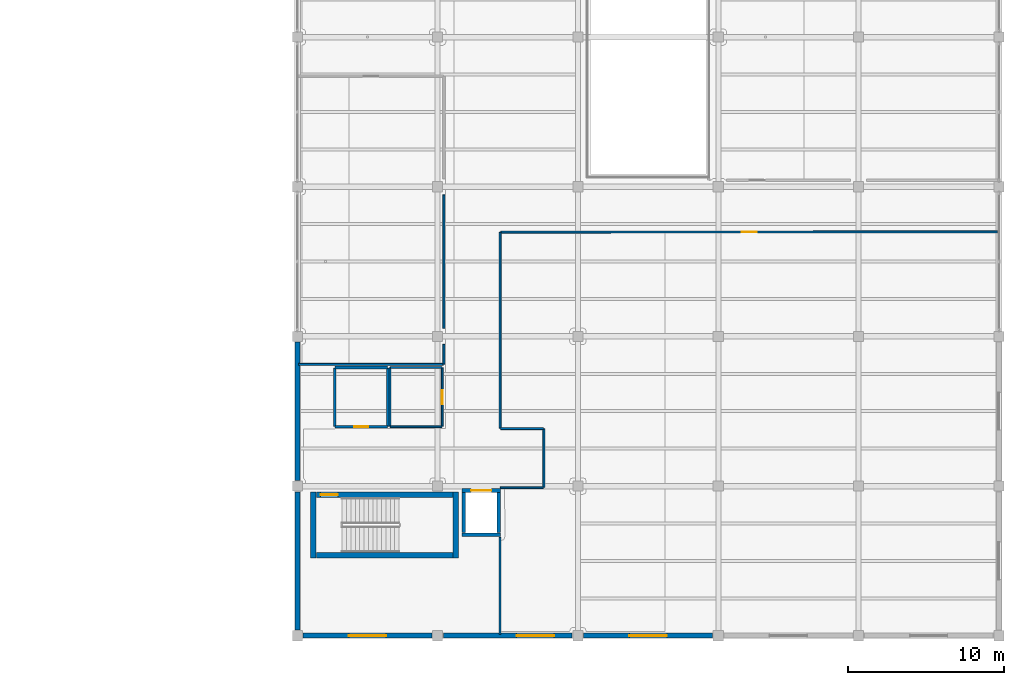
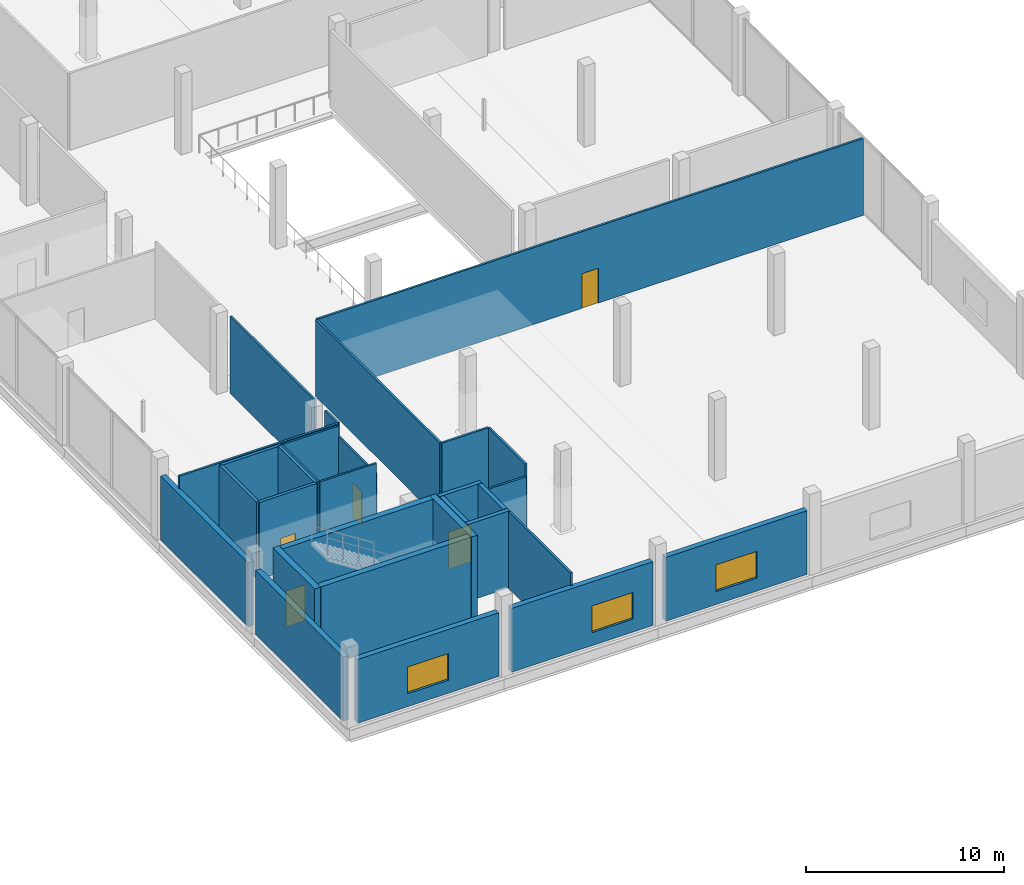
# One storey, part 30 of 46: 30 walls, 5 doors, 3 windows, 8 openings.
"""IFC4 building model written with IfcOpenShell, lengths in metres."""

from ifc_helpers import new_model, si_unit, direction, frame, frame_2d, origin, place, context, subcontext, project, spatial, rectangle, extrude, material, layer, layer_set, type_object, element, fill, save


model = new_model("IFC4")

# Units and contexts
model_context = context("Model", 3, precision=1e-05, world=origin(), true_north=direction((0.0, 1.0)))
body_context = subcontext(model_context, "Body", "Model", "MODEL_VIEW")
ifc_project = project(units=[si_unit("LENGTHUNIT", "METRE"), si_unit("AREAUNIT", "SQUARE_METRE"), si_unit("VOLUMEUNIT", "CUBIC_METRE"), si_unit("PLANEANGLEUNIT", "RADIAN"), si_unit("MASSUNIT", "GRAM", prefix="KILO")], contexts=[model_context])

# Site, building, storey
site_placement = place(None, origin())
site = spatial("IfcSite", under=ifc_project, at=site_placement, CompositionType="ELEMENT")
building_placement = place(site_placement, origin())
building = spatial("IfcBuilding", under=site, at=building_placement, Name="Qorvath Tower", CompositionType="ELEMENT")
storey_placement = place(building_placement, frame((0.0, 0.0, 17.0)))
storey = spatial("IfcBuildingStorey", under=building, at=storey_placement, Name="L03", CompositionType="ELEMENT", Elevation=17.0)

# Wall, opening, door
ifc_material_1 = material(Name="Gypsum shaftliner on steel studs", Category="steel")
ifc_layer_1 = layer(ifc_material_1, 0.179931640625)
ifc_layer_set_1 = layer_set([ifc_layer_1], Name="FW-LOBBY")
wall_type_1 = type_object("IfcWallType", Name="FW-LOBBY", PredefinedType="PARTITIONING", material=ifc_layer_set_1)
wall_1_placement = place(storey_placement, frame((34.824951171875, -25.0, 0.0), z_axis=(0.0, 0.0, 1.0), x_axis=(1.0, 0.0, 0.0)))
wall_1 = element("IfcWall", 1, at=wall_1_placement, inside=storey, type_object=wall_type_1, Name="Interior Partition IW-LB-L03-013", PredefinedType="PARTITIONING", context=body_context, shape_type="SweptSolid", body=[
    extrude(rectangle(XDim=3.35009765625, YDim=0.179931640625, at=frame_2d((1.675048828125, 0.0))), origin(), (0.0, 0.0, 1.0), 4.739990234375),
])
opening_1_placement = place(wall_1_placement, frame((1.235107421875, 0.0, 0.0)))
opening_1 = element("IfcOpeningElement", 2, at=opening_1_placement, cuts=wall_1, Name="Opening D-LB-L03-04", PredefinedType="OPENING", context=body_context, shape_type="SweptSolid", body=[
    extrude(rectangle(XDim=0.8798828125, YDim=2.10009765625, at=frame_2d((0.43994140625, 1.050048828125))), frame((0.0, 0.10009765625, 0.0), z_axis=(0.0, -1.0, 0.0), x_axis=(1.0, 0.0, 0.0)), (0.0, 0.0, 1.0), 0.199951171875),
])
ifc_material_2 = material(Name="Painted galvanised hollow metal", Category="steel")
door_type_1 = type_object("IfcDoorType", Name="FD-60N", OperationType="NOTDEFINED", PredefinedType="DOOR", material=ifc_material_2)
door_1_placement = place(opening_1_placement, origin())
door_1 = element("IfcDoor", 3, at=door_1_placement, inside=storey, type_object=door_type_1, Name="Cleaner Custodial Closet L03 Door D-LB-L03-04", OperationType="SINGLE_SWING_LEFT", OverallHeight=2.10009765625, OverallWidth=0.8798828125, PredefinedType="DOOR", context=body_context, shape_type="SweptSolid", body=[
    extrude(rectangle(XDim=0.8798828125, YDim=2.10009765625, at=frame_2d((0.43994140625, 1.050048828125))), frame((0.0, 0.02490234375, 0.0), z_axis=(0.0, -1.0, 0.0), x_axis=(1.0, 0.0, 0.0)), (0.0, 0.0, 1.0), 0.050048828125),
])
fill(opening_1, door_1)

# Walls
wall_2_placement = place(storey_placement, frame((38.199951171875, -24.97509765625, 0.0), z_axis=(0.0, 0.0, 1.0), x_axis=(0.0, 1.0, 0.0)))
element("IfcWall", 4, at=wall_2_placement, inside=storey, type_object=wall_type_1, Name="Interior Partition IW-LB-L03-014", PredefinedType="PARTITIONING", context=body_context, shape_type="SweptSolid", body=[
    extrude(rectangle(XDim=3.75, YDim=0.179931640625, at=frame_2d((1.875, 0.0))), origin(), (0.0, 0.0, 1.0), 4.739990234375),
])
wall_3_placement = place(storey_placement, frame((38.175048828125, -21.199951171875, 0.0), z_axis=(0.0, 0.0, 1.0), x_axis=(-1.0, 0.0, 0.0)))
element("IfcWall", 5, at=wall_3_placement, inside=storey, type_object=wall_type_1, Name="Interior Partition IW-LB-L03-015", PredefinedType="PARTITIONING", context=body_context, shape_type="SweptSolid", body=[
    extrude(rectangle(XDim=3.35009765625, YDim=0.179931640625, at=frame_2d((1.675048828125, 0.0))), origin(), (0.0, 0.0, 1.0), 4.739990234375),
])
wall_4_placement = place(storey_placement, frame((34.800048828125, -21.22509765625, 0.0), z_axis=(0.0, 0.0, 1.0), x_axis=(0.0, -1.0, 0.0)))
element("IfcWall", 6, at=wall_4_placement, inside=storey, type_object=wall_type_1, Name="Interior Partition IW-LB-L03-016", PredefinedType="PARTITIONING", context=body_context, shape_type="SweptSolid", body=[
    extrude(rectangle(XDim=3.75, YDim=0.179931640625, at=frame_2d((1.875, 0.0))), origin(), (0.0, 0.0, 1.0), 4.739990234375),
])

# Wall, opening, door
ifc_material_3 = material(Name="Gypsum board on metal studs with mineral wool", Category="gypsum")
ifc_layer_2 = layer(ifc_material_3, 0.125)
ifc_layer_set_2 = layer_set([ifc_layer_2], Name="IW-PART-125")
wall_type_2 = type_object("IfcWallType", Name="IW-PART-125", PredefinedType="PARTITIONING", material=ifc_layer_set_2)
wall_5_placement = place(storey_placement, frame((77.320068359375, -12.5, 0.0), z_axis=(0.0, 0.0, 1.0), x_axis=(-0.999999968081, -0.000252662519, 0.0)))
wall_5 = element("IfcWall", 7, at=wall_5_placement, inside=storey, type_object=wall_type_2, Name="Interior Partition IW-LB-L03-023", PredefinedType="PARTITIONING", context=body_context, shape_type="SweptSolid", body=[
    extrude(rectangle(XDim=31.886962890625, YDim=0.125, at=frame_2d((15.943359375, 0.0))), origin(), (0.0, 0.0, 1.0), 4.739990234375),
])
opening_2_placement = place(wall_5_placement, frame((15.468505859375, 0.0, 0.0)))
opening_2 = element("IfcOpeningElement", 8, at=opening_2_placement, cuts=wall_5, Name="Opening D-LB-L03-06", PredefinedType="OPENING", context=body_context, shape_type="SweptSolid", body=[
    extrude(rectangle(XDim=0.949951171875, YDim=2.14990234375, at=frame_2d((0.47509765625, 1.074951171875))), frame((0.0, 0.072509765625, 0.0), z_axis=(0.0, -1.0, 0.0), x_axis=(1.0, 0.0, 0.0)), (0.0, 0.0, 1.0), 0.14501953125),
])
ifc_material_4 = material(Name="Solid-core American white oak veneer", Category="wood")
door_type_2 = type_object("IfcDoorType", Name="D-01", OperationType="NOTDEFINED", PredefinedType="DOOR", material=ifc_material_4)
door_2_placement = place(opening_2_placement, origin())
door_2 = element("IfcDoor", 9, at=door_2_placement, inside=storey, type_object=door_type_2, Name="L-L03-STK-S Open Book Stack Collection South L03 Door D-LB-L03-06", OperationType="SINGLE_SWING_LEFT", OverallHeight=2.14990234375, OverallWidth=0.949951171875, PredefinedType="DOOR", context=body_context, shape_type="SweptSolid", body=[
    extrude(rectangle(XDim=0.949951171875, YDim=2.14990234375, at=frame_2d((0.47509765625, 1.074951171875))), frame((0.0, 0.02490234375, 0.0), z_axis=(0.0, -1.0, 0.0), x_axis=(1.0, 0.0, 0.0)), (0.0, 0.0, 1.0), 0.050048828125),
])
fill(opening_2, door_2)

# Walls
wall_6_placement = place(storey_placement, frame((45.407958984375, -12.533203125, 0.0), z_axis=(0.0, 0.0, 1.0), x_axis=(0.0, -1.0, 0.0)))
element("IfcWall", 10, at=wall_6_placement, inside=storey, type_object=wall_type_2, Name="Interior Partition IW-LB-L03-024", PredefinedType="PARTITIONING", context=body_context, shape_type="SweptSolid", body=[
    extrude(rectangle(XDim=12.553955078125, YDim=0.125, at=frame_2d((6.27685546875, 0.0))), origin(), (0.0, 0.0, 1.0), 4.739990234375),
])
wall_7_placement = place(storey_placement, frame((48.18310546875, -25.112060546875, 0.0), z_axis=(0.0, 0.0, 1.0), x_axis=(-1.0, 0.0, 0.0)))
element("IfcWall", 11, at=wall_7_placement, inside=storey, type_object=wall_type_2, Name="Interior Partition IW-LB-L03-025", PredefinedType="PARTITIONING", context=body_context, shape_type="SweptSolid", body=[
    extrude(rectangle(XDim=2.75, YDim=0.125, at=frame_2d((1.375, 0.0))), origin(), (0.0, 0.0, 1.0), 4.739990234375),
])
wall_8_placement = place(storey_placement, frame((48.2080078125, -25.13720703125, 0.0), z_axis=(0.0, 0.0, 1.0), x_axis=(0.0, -1.0, 0.0)))
element("IfcWall", 12, at=wall_8_placement, inside=storey, type_object=wall_type_2, Name="Interior Partition IW-LB-L03-026", PredefinedType="PARTITIONING", context=body_context, shape_type="SweptSolid", body=[
    extrude(rectangle(XDim=3.745849609375, YDim=0.125, at=frame_2d((1.873046875, 0.0))), origin(), (0.0, 0.0, 1.0), 4.739990234375),
])
wall_9_placement = place(storey_placement, frame((45.4248046875, -28.907958984375, 0.0), z_axis=(0.0, 0.0, 1.0), x_axis=(1.0, 0.0, 0.0)))
element("IfcWall", 13, at=wall_9_placement, inside=storey, type_object=wall_type_2, Name="Interior Partition IW-LB-L03-027", PredefinedType="PARTITIONING", context=body_context, shape_type="SweptSolid", body=[
    extrude(rectangle(XDim=2.75830078125, YDim=0.125, at=frame_2d((1.379150390625, 0.0))), origin(), (0.0, 0.0, 1.0), 4.01416015625),
])
wall_10_placement = place(storey_placement, frame((45.39990234375, -32.0849609375, 0.0), z_axis=(0.0, 0.0, 1.0), x_axis=(0.0, -1.0, 0.0)))
element("IfcWall", 14, at=wall_10_placement, inside=storey, type_object=wall_type_2, Name="Interior Partition IW-LB-L03-028", PredefinedType="PARTITIONING", context=body_context, shape_type="SweptSolid", body=[
    extrude(rectangle(XDim=6.235107421875, YDim=0.125, at=frame_2d((3.11767578125, 0.0))), origin(), (0.0, 0.0, 1.0), 4.739990234375),
])
wall_11_placement = place(storey_placement, frame((32.47998046875, -21.0, 0.0), z_axis=(0.0, 0.0, 1.0), x_axis=(1.0, 0.0, 0.0)))
element("IfcWall", 15, at=wall_11_placement, inside=storey, type_object=wall_type_2, Name="Interior Partition IW-LB-L03-039", PredefinedType="PARTITIONING", context=body_context, shape_type="SweptSolid", body=[
    extrude(rectangle(XDim=9.294921875, YDim=0.125, at=frame_2d((4.6474609375, 0.0))), origin(), (0.0, 0.0, 1.0), 4.739990234375),
])
wall_12_placement = place(storey_placement, frame((41.800048828125, -20.97509765625, 0.0), z_axis=(0.0, 0.0, 1.0), x_axis=(0.0, 1.0, 0.0)))
element("IfcWall", 16, at=wall_12_placement, inside=storey, type_object=wall_type_2, Name="Interior Partition IW-LB-L03-040", PredefinedType="PARTITIONING", context=body_context, shape_type="SweptSolid", body=[
    extrude(rectangle(XDim=1.25634765625, YDim=0.125, at=frame_2d((0.628173828125, 0.0))), origin(), (0.0, 0.0, 1.0), 4.739990234375),
])
wall_13_placement = place(storey_placement, frame((41.800048828125, -18.68115234375, 0.0), z_axis=(0.0, 0.0, 1.0), x_axis=(0.0, 1.0, 0.0)))
element("IfcWall", 17, at=wall_13_placement, inside=storey, type_object=wall_type_2, Name="Interior Partition IW-LB-L03-041", PredefinedType="PARTITIONING", context=body_context, shape_type="SweptSolid", body=[
    extrude(rectangle(XDim=8.562255859375, YDim=0.125, at=frame_2d((4.28125, 0.0))), origin(), (0.0, 0.0, 1.0), 4.739990234375),
])
ifc_material_5 = material(Name="Moisture-resistant cement board on metal studs", Category="gypsum")
ifc_layer_3 = layer(ifc_material_5, 0.110107421875)
ifc_layer_set_3 = layer_set([ifc_layer_3], Name="IW-WC-110")
wall_type_3 = type_object("IfcWallType", Name="IW-WC-110", PredefinedType="PARTITIONING", material=ifc_layer_set_3)
wall_14_placement = place(storey_placement, frame((38.375, -25.0, 0.0), z_axis=(0.0, 0.0, 1.0), x_axis=(1.0, 0.0, 0.0)))
element("IfcWall", 18, at=wall_14_placement, inside=storey, type_object=wall_type_3, Name="Interior Partition IW-LB-L03-009", PredefinedType="PARTITIONING", context=body_context, shape_type="SweptSolid", body=[
    extrude(rectangle(XDim=3.300048828125, YDim=0.110107421875, at=frame_2d((1.64990234375, 0.0))), origin(), (0.0, 0.0, 1.0), 4.739990234375),
])

# Wall, opening, door
wall_15_placement = place(storey_placement, frame((41.699951171875, -24.97509765625, 0.0), z_axis=(0.0, 0.0, 1.0), x_axis=(0.0, 1.0, 0.0)))
wall_15 = element("IfcWall", 19, at=wall_15_placement, inside=storey, type_object=wall_type_3, Name="Interior Partition IW-LB-L03-010", PredefinedType="PARTITIONING", context=body_context, shape_type="SweptSolid", body=[
    extrude(rectangle(XDim=3.75, YDim=0.110107421875, at=frame_2d((1.875, 0.0))), origin(), (0.0, 0.0, 1.0), 4.09375),
])
opening_3_placement = place(wall_15_placement, frame((1.43505859375, 0.0, 0.0)))
opening_3 = element("IfcOpeningElement", 20, at=opening_3_placement, cuts=wall_15, Name="Opening D-LB-L03-03", PredefinedType="OPENING", context=body_context, shape_type="SweptSolid", body=[
    extrude(rectangle(XDim=0.8798828125, YDim=2.10009765625, at=frame_2d((0.43994140625, 1.050048828125))), frame((0.0, 0.06494140625, 0.0), z_axis=(0.0, -1.0, 0.0), x_axis=(1.0, 0.0, 0.0)), (0.0, 0.0, 1.0), 0.130126953125),
])
ifc_material_6 = material(Name="Solid-core oak with acoustic drop seal", Category="wood")
door_type_3 = type_object("IfcDoorType", Name="D-02", OperationType="NOTDEFINED", PredefinedType="DOOR", material=ifc_material_6)
door_3_placement = place(opening_3_placement, origin())
door_3 = element("IfcDoor", 21, at=door_3_placement, inside=storey, type_object=door_type_3, Name="Accessible WC East Wing L03 Door D-LB-L03-03", OperationType="SINGLE_SWING_RIGHT", OverallHeight=2.10009765625, OverallWidth=0.8798828125, PredefinedType="DOOR", context=body_context, shape_type="SweptSolid", body=[
    extrude(rectangle(XDim=0.8798828125, YDim=2.10009765625, at=frame_2d((0.43994140625, 1.050048828125))), frame((0.0, 0.02490234375, 0.0), z_axis=(0.0, -1.0, 0.0), x_axis=(1.0, 0.0, 0.0)), (0.0, 0.0, 1.0), 0.050048828125),
])
fill(opening_3, door_3)

# Walls
wall_16_placement = place(storey_placement, frame((41.675048828125, -21.199951171875, 0.0), z_axis=(0.0, 0.0, 1.0), x_axis=(-1.0, 0.0, 0.0)))
element("IfcWall", 22, at=wall_16_placement, inside=storey, type_object=wall_type_3, Name="Interior Partition IW-LB-L03-011", PredefinedType="PARTITIONING", context=body_context, shape_type="SweptSolid", body=[
    extrude(rectangle(XDim=3.300048828125, YDim=0.110107421875, at=frame_2d((1.64990234375, 0.0))), origin(), (0.0, 0.0, 1.0), 4.739990234375),
])
wall_17_placement = place(storey_placement, frame((38.35009765625, -21.22509765625, 0.0), z_axis=(0.0, 0.0, 1.0), x_axis=(0.0, -1.0, 0.0)))
element("IfcWall", 23, at=wall_17_placement, inside=storey, type_object=wall_type_3, Name="Interior Partition IW-LB-L03-012", PredefinedType="PARTITIONING", context=body_context, shape_type="SweptSolid", body=[
    extrude(rectangle(XDim=3.75, YDim=0.110107421875, at=frame_2d((1.875, 0.0))), origin(), (0.0, 0.0, 1.0), 4.739990234375),
])
ifc_material_7 = material(Name="Concrete C60/75", Category="concrete")
ifc_layer_4 = layer(ifc_material_7, 0.260009765625)
ifc_layer_set_4 = layer_set([ifc_layer_4], Name="SW-SHAFT")
wall_type_4 = type_object("IfcWallType", Name="SW-SHAFT", PredefinedType="SHEAR", material=ifc_layer_set_4)
wall_18_placement = place(storey_placement, frame((45.43994140625, -31.919921875, 0.0), z_axis=(0.0, 0.0, 1.0), x_axis=(-1.0, 0.0, 0.0)))
element("IfcWall", 24, at=wall_18_placement, inside=storey, type_object=wall_type_4, Name="Hoistway Wall LGL-1 L03 S", PredefinedType="SHEAR", context=body_context, shape_type="SweptSolid", body=[
    extrude(rectangle(XDim=2.47998046875, YDim=0.239990234375, at=frame_2d((1.239990234375, 0.0))), origin(), (0.0, 0.0, 1.0), 4.739990234375),
])

# Wall, opening, door
wall_19_placement = place(storey_placement, frame((42.9599609375, -29.080078125, 0.0), z_axis=(0.0, 0.0, 1.0), x_axis=(1.0, 0.0, 0.0)))
wall_19 = element("IfcWall", 25, at=wall_19_placement, inside=storey, type_object=wall_type_4, Name="Hoistway Wall LGL-1 L03 N", PredefinedType="SHEAR", context=body_context, shape_type="SweptSolid", body=[
    extrude(rectangle(XDim=2.47998046875, YDim=0.239990234375, at=frame_2d((1.239990234375, 0.0))), origin(), (0.0, 0.0, 1.0), 4.739990234375),
])
opening_4_placement = place(wall_19_placement, frame((0.590087890625, 0.0, 0.0)))
opening_4 = element("IfcOpeningElement", 26, at=opening_4_placement, cuts=wall_19, Name="Opening LD-LGL-1-L03", PredefinedType="OPENING", context=body_context, shape_type="SweptSolid", body=[
    extrude(rectangle(XDim=1.300048828125, YDim=2.300048828125, at=frame_2d((0.64990234375, 1.14990234375))), frame((0.0, 0.1298828125, 0.0), z_axis=(0.0, -1.0, 0.0), x_axis=(1.0, 0.0, 0.0)), (0.0, 0.0, 1.0), 0.260009765625),
])
ifc_material_8 = material(Name="Brushed stainless steel AISI 316", Category="steel")
door_type_4 = type_object("IfcDoorType", Name="LD-02", OperationType="NOTDEFINED", PredefinedType="DOOR", material=ifc_material_8)
door_4_placement = place(opening_4_placement, origin())
door_4 = element("IfcDoor", 27, at=door_4_placement, inside=storey, type_object=door_type_4, Name="Elevator Landing Sliding Door LD-LGL-1-L03", OperationType="DOUBLE_DOOR_SLIDING", OverallHeight=2.300048828125, OverallWidth=1.300048828125, PredefinedType="DOOR", context=body_context, shape_type="SweptSolid", body=[
    extrude(rectangle(XDim=1.300048828125, YDim=2.300048828125, at=frame_2d((0.64990234375, 1.14990234375))), frame((0.0, 0.02490234375, 0.0), z_axis=(0.0, -1.0, 0.0), x_axis=(1.0, 0.0, 0.0)), (0.0, 0.0, 1.0), 0.050048828125),
])
fill(opening_4, door_4)

# Walls
for number, where, z_axis, x_axis, name in (
    (28, (43.080078125, -31.7880859375, 0.0), (0.0, 0.0, 1.0), (0.0, 1.0, 0.0), "Hoistway Wall LGL-1 L03 W"),
    (29, (45.320068359375, -29.2119140625, 0.0), (0.0, 0.0, 1.0), (0.0, -1.0, 0.0), "Hoistway Wall LGL-1 L03 E"),
):
    element("IfcWall", number, at=place(storey_placement, frame(where, z_axis=z_axis, x_axis=x_axis)), inside=storey, type_object=wall_type_4, Name=name, PredefinedType="SHEAR", context=body_context, shape_type="SweptSolid", body=[
        extrude(rectangle(XDim=2.576171875, YDim=0.239990234375, at=frame_2d((1.2880859375, 0.0))), origin(), (0.0, 0.0, 1.0), 4.739990234375),
    ])
ifc_material_9 = material(Name="Concrete C60/75", Category="concrete")
ifc_layer_5 = layer(ifc_material_9, 0.35009765625)
ifc_layer_set_5 = layer_set([ifc_layer_5], Name="SW-STAIR")
wall_type_5 = type_object("IfcWallType", Name="SW-STAIR", PredefinedType="SHEAR", material=ifc_layer_set_5)
for number, where, z_axis, x_axis, name in (
    (30, (33.425048828125, -29.18994140625, 0.0), (0.0, 0.0, 1.0), (0.0, -1.0, 0.0), "Stair LS2 Shear Wall L03 NEAR"),
    (31, (42.574951171875, -33.39990234375, 0.0), (0.0, 0.0, 1.0), (0.0, 1.0, 0.0), "Stair LS2 Shear Wall L03 FAR"),
):
    element("IfcWall", number, at=place(storey_placement, frame(where, z_axis=z_axis, x_axis=x_axis)), inside=storey, type_object=wall_type_5, Name=name, PredefinedType="SHEAR", context=body_context, shape_type="SweptSolid", body=[
        extrude(rectangle(XDim=4.2099609375, YDim=0.35009765625, at=frame_2d((2.10498046875, 0.0))), origin(), (0.0, 0.0, 1.0), 4.9951171875),
    ])
wall_20_placement = place(storey_placement, frame((33.614990234375, -33.22509765625, 0.0), z_axis=(0.0, 0.0, 1.0), x_axis=(1.0, 0.0, 0.0)))
element("IfcWall", 32, at=wall_20_placement, inside=storey, type_object=wall_type_5, Name="Stair LS2 Shear Wall L03 LEFT", PredefinedType="SHEAR", context=body_context, shape_type="SweptSolid", body=[
    extrude(rectangle(XDim=8.77001953125, YDim=0.35009765625, at=frame_2d((4.385009765625, 0.0))), origin(), (0.0, 0.0, 1.0), 4.9951171875),
])

# Wall, opening, door
wall_21_placement = place(storey_placement, frame((42.385009765625, -29.364990234375, 0.0), z_axis=(0.0, 0.0, 1.0), x_axis=(-1.0, 0.0, 0.0)))
wall_21 = element("IfcWall", 33, at=wall_21_placement, inside=storey, type_object=wall_type_5, Name="Stair LS2 Shear Wall L03 RIGHT", PredefinedType="SHEAR", context=body_context, shape_type="SweptSolid", body=[
    extrude(rectangle(XDim=8.77001953125, YDim=0.35009765625, at=frame_2d((4.385009765625, 0.0))), origin(), (0.0, 0.0, 1.0), 4.9951171875),
])
opening_5_placement = place(wall_21_placement, frame((7.389892578125, 0.0, 0.0)))
opening_5 = element("IfcOpeningElement", 34, at=opening_5_placement, cuts=wall_21, Name="Opening D-LS2-L03", PredefinedType="OPENING", context=body_context, shape_type="SweptSolid", body=[
    extrude(rectangle(XDim=1.10009765625, YDim=2.199951171875, at=frame_2d((0.550048828125, 1.10009765625))), frame((0.0, 0.18505859375, 0.0), z_axis=(0.0, -1.0, 0.0), x_axis=(1.0, 0.0, 0.0)), (0.0, 0.0, 1.0), 0.3701171875),
])
ifc_material_10 = material(Name="Painted galvanised hollow metal", Category="steel")
door_type_5 = type_object("IfcDoorType", Name="FD-90", OperationType="NOTDEFINED", PredefinedType="DOOR", material=ifc_material_10)
door_5_placement = place(opening_5_placement, origin())
door_5 = element("IfcDoor", 35, at=door_5_placement, inside=storey, type_object=door_type_5, Name="Stair LS2 Fire Door L03", OperationType="SINGLE_SWING_RIGHT", OverallHeight=2.199951171875, OverallWidth=1.10009765625, PredefinedType="DOOR", context=body_context, shape_type="SweptSolid", body=[
    extrude(rectangle(XDim=1.10009765625, YDim=2.199951171875, at=frame_2d((0.550048828125, 1.10009765625))), frame((0.0, 0.02490234375, 0.0), z_axis=(0.0, -1.0, 0.0), x_axis=(1.0, 0.0, 0.0)), (0.0, 0.0, 1.0), 0.050048828125),
])
fill(opening_5, door_5)

# Walls
ifc_material_11 = material(Name="Precast concrete C45/55", Category="concrete")
ifc_layer_6 = layer(ifc_material_11, 0.320068359375)
ifc_layer_set_6 = layer_set([ifc_layer_6], Name="WL-EW-LIB-320")
wall_type_6 = type_object("IfcWallType", Name="WL-EW-LIB-320", PredefinedType="SOLIDWALL", material=ifc_layer_set_6)
wall_22_placement = place(storey_placement, frame((32.39990234375, -38.030029296875, 0.0), z_axis=(0.0, 0.0, 1.0), x_axis=(0.0, 1.0, 0.0)))
element("IfcWall", 36, at=wall_22_placement, inside=storey, type_object=wall_type_6, Name="Library West Precast Facade Wall L03-1", PredefinedType="SOLIDWALL", context=body_context, shape_type="SweptSolid", body=[
    extrude(rectangle(XDim=8.860107421875, YDim=0.320068359375, at=frame_2d((4.43017578125, 0.0))), origin(), (0.0, 0.0, 1.0), 3.93701171875),
])
wall_23_placement = place(storey_placement, frame((32.39990234375, -28.429931640625, 0.0), z_axis=(0.0, 0.0, 1.0), x_axis=(0.0, 1.0, 0.0)))
element("IfcWall", 37, at=wall_23_placement, inside=storey, type_object=wall_type_6, Name="Library West Precast Facade Wall L03-2", PredefinedType="SOLIDWALL", context=body_context, shape_type="SweptSolid", body=[
    extrude(rectangle(XDim=8.85986328125, YDim=0.320068359375, at=frame_2d((4.429931640625, 0.0))), origin(), (0.0, 0.0, 1.0), 3.93701171875),
])

# Wall, opening, window
wall_24_placement = place(storey_placement, frame((41.030029296875, -38.39990234375, 0.0), z_axis=(0.0, 0.0, 1.0), x_axis=(-1.0, 0.0, 0.0)))
wall_24 = element("IfcWall", 38, at=wall_24_placement, inside=storey, type_object=wall_type_6, Name="Library S Precast Wall L03-1", PredefinedType="SOLIDWALL", context=body_context, shape_type="SweptSolid", body=[
    extrude(rectangle(XDim=8.260009765625, YDim=0.320068359375, at=frame_2d((4.1298828125, 0.0))), origin(), (0.0, 0.0, 1.0), 3.93701171875),
])
opening_6_placement = place(wall_24_placement, frame((2.929931640625, 0.0, 0.800048828125)))
opening_6 = element("IfcOpeningElement", 39, at=opening_6_placement, cuts=wall_24, Name="Opening WN-L-120", PredefinedType="OPENING", context=body_context, shape_type="SweptSolid", body=[
    extrude(rectangle(XDim=2.39990234375, YDim=1.64990234375, at=frame_2d((1.199951171875, 0.824951171875))), frame((0.0, 0.169921875, 0.0), z_axis=(0.0, -1.0, 0.0), x_axis=(1.0, 0.0, 0.0)), (0.0, 0.0, 1.0), 0.340087890625),
])
ifc_material_12 = material(Name="Thermally broken aluminium and triple low-E glass", Category="aluminium")
window_type = type_object("IfcWindowType", Name="WN-2", PartitioningType="SINGLE_PANEL", PredefinedType="WINDOW", material=ifc_material_12)
window_1_placement = place(opening_6_placement, origin())
window_1 = element("IfcWindow", 40, at=window_1_placement, inside=storey, type_object=window_type, Name="Library Reading Punched Window 120", OverallHeight=1.64990234375, OverallWidth=2.39990234375, PartitioningType="SINGLE_PANEL", PredefinedType="WINDOW", context=body_context, shape_type="SweptSolid", body=[
    extrude(rectangle(XDim=2.39990234375, YDim=1.64990234375, at=frame_2d((1.199951171875, 0.824951171875))), frame((0.0, 0.030029296875, 0.0), z_axis=(0.0, -1.0, 0.0), x_axis=(1.0, 0.0, 0.0)), (0.0, 0.0, 1.0), 0.06005859375),
])
fill(opening_6, window_1)

wall_25_placement = place(storey_placement, frame((50.030029296875, -38.39990234375, 0.0), z_axis=(0.0, 0.0, 1.0), x_axis=(-1.0, 0.0, 0.0)))
wall_25 = element("IfcWall", 41, at=wall_25_placement, inside=storey, type_object=wall_type_6, Name="Library S Precast Wall L03-2", PredefinedType="SOLIDWALL", context=body_context, shape_type="SweptSolid", body=[
    extrude(rectangle(XDim=8.260009765625, YDim=0.320068359375, at=frame_2d((4.1298828125, 0.0))), origin(), (0.0, 0.0, 1.0), 3.93701171875),
])
opening_7_placement = place(wall_25_placement, frame((1.159912109375, 0.0, 0.800048828125)))
opening_7 = element("IfcOpeningElement", 42, at=opening_7_placement, cuts=wall_25, Name="Opening WN-L-121", PredefinedType="OPENING", context=body_context, shape_type="SweptSolid", body=[
    extrude(rectangle(XDim=2.39990234375, YDim=1.64990234375, at=frame_2d((1.199951171875, 0.824951171875))), frame((0.0, 0.169921875, 0.0), z_axis=(0.0, -1.0, 0.0), x_axis=(1.0, 0.0, 0.0)), (0.0, 0.0, 1.0), 0.340087890625),
])
window_2_placement = place(opening_7_placement, origin())
window_2 = element("IfcWindow", 43, at=window_2_placement, inside=storey, type_object=window_type, Name="Library Reading Punched Window 121", OverallHeight=1.64990234375, OverallWidth=2.39990234375, PartitioningType="SINGLE_PANEL", PredefinedType="WINDOW", context=body_context, shape_type="SweptSolid", body=[
    extrude(rectangle(XDim=2.39990234375, YDim=1.64990234375, at=frame_2d((1.199951171875, 0.824951171875))), frame((0.0, 0.030029296875, 0.0), z_axis=(0.0, -1.0, 0.0), x_axis=(1.0, 0.0, 0.0)), (0.0, 0.0, 1.0), 0.06005859375),
])
fill(opening_7, window_2)

wall_26_placement = place(storey_placement, frame((59.030029296875, -38.39990234375, 0.0), z_axis=(0.0, 0.0, 1.0), x_axis=(-1.0, 0.0, 0.0)))
wall_26 = element("IfcWall", 44, at=wall_26_placement, inside=storey, type_object=wall_type_6, Name="Library S Precast Wall L03-3", PredefinedType="SOLIDWALL", context=body_context, shape_type="SweptSolid", body=[
    extrude(rectangle(XDim=8.260009765625, YDim=0.320068359375, at=frame_2d((4.1298828125, 0.0))), origin(), (0.0, 0.0, 1.0), 3.93701171875),
])
opening_8_placement = place(wall_26_placement, frame((2.929931640625, 0.0, 0.800048828125)))
opening_8 = element("IfcOpeningElement", 45, at=opening_8_placement, cuts=wall_26, Name="Opening WN-L-122", PredefinedType="OPENING", context=body_context, shape_type="SweptSolid", body=[
    extrude(rectangle(XDim=2.39990234375, YDim=1.64990234375, at=frame_2d((1.199951171875, 0.824951171875))), frame((0.0, 0.169921875, 0.0), z_axis=(0.0, -1.0, 0.0), x_axis=(1.0, 0.0, 0.0)), (0.0, 0.0, 1.0), 0.340087890625),
])
window_3_placement = place(opening_8_placement, origin())
window_3 = element("IfcWindow", 46, at=window_3_placement, inside=storey, type_object=window_type, Name="Library Reading Punched Window 122", OverallHeight=1.64990234375, OverallWidth=2.39990234375, PartitioningType="SINGLE_PANEL", PredefinedType="WINDOW", context=body_context, shape_type="SweptSolid", body=[
    extrude(rectangle(XDim=2.39990234375, YDim=1.64990234375, at=frame_2d((1.199951171875, 0.824951171875))), frame((0.0, 0.030029296875, 0.0), z_axis=(0.0, -1.0, 0.0), x_axis=(1.0, 0.0, 0.0)), (0.0, 0.0, 1.0), 0.06005859375),
])
fill(opening_8, window_3)

save(model, "model.ifc")
